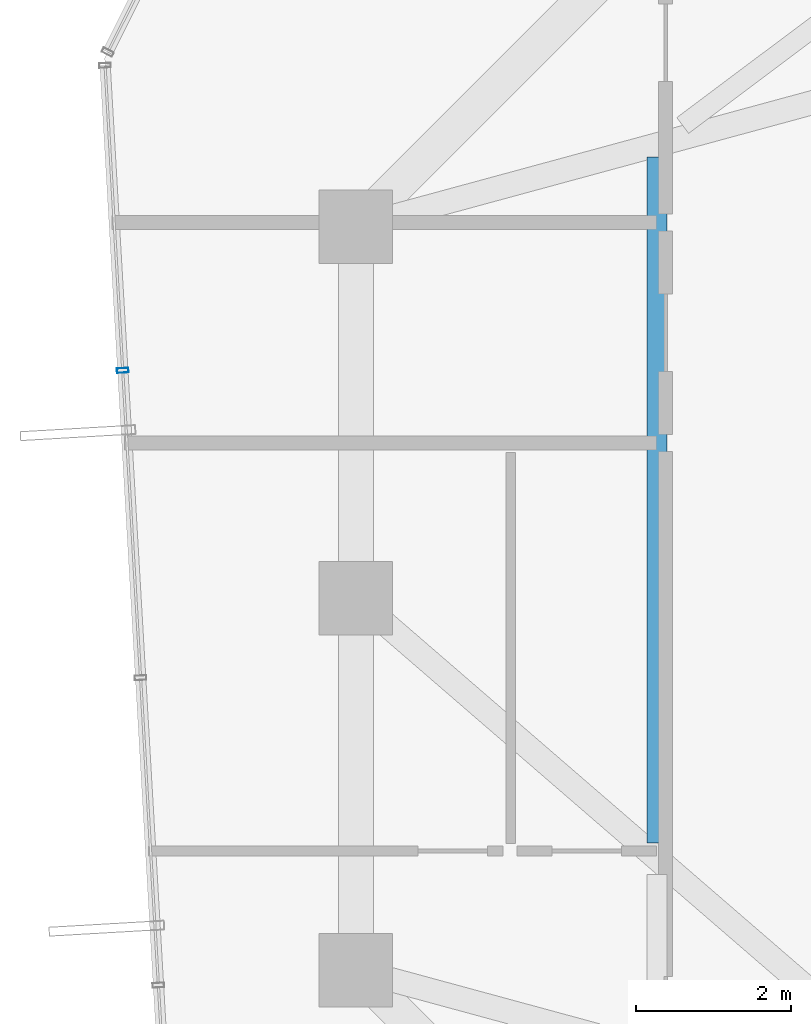
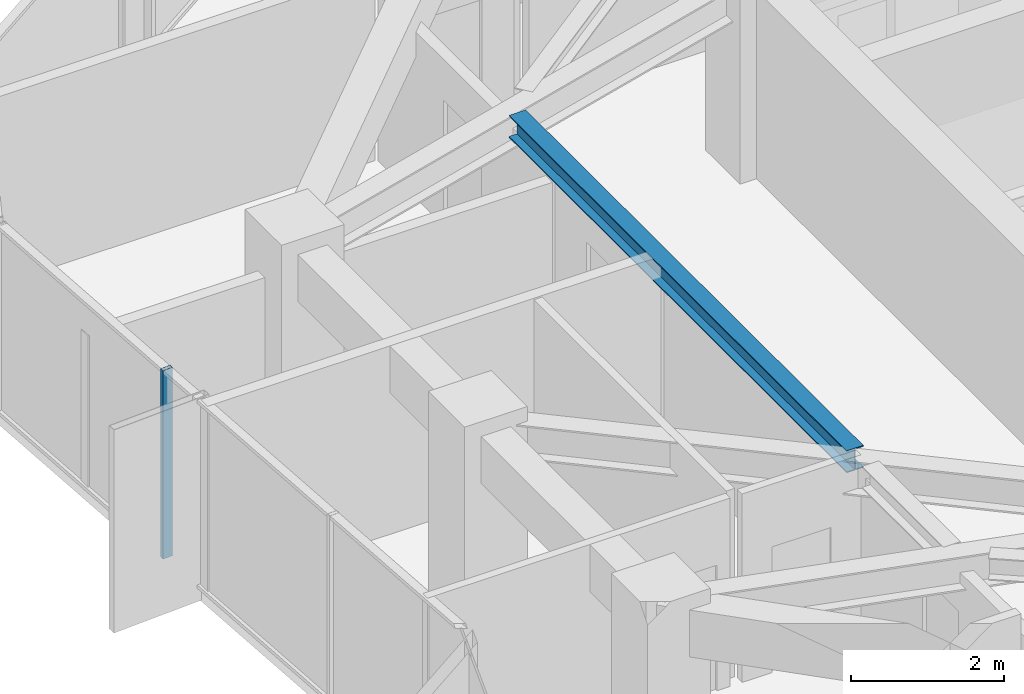
# One storey, part 14 of 33: 1 beam, 1 member, 1 element without a shape of its own.
"""IFC4 building model written with IfcOpenShell, lengths in metres."""

from ifc_helpers import new_model, si_unit, direction, frame, origin, origin_2d, place, context, subcontext, project, spatial, hollow_rectangle, i_section, extrude, source, transform, mapped, material, layer, layer_set, material_profile, profile_set, type_object, element, aggregate, save


model = new_model("IFC4")

# Units and contexts
model_context = context("Model", 3, precision=1e-05, world=origin(), true_north=direction((0.0, 1.0)))
body_context = subcontext(model_context, "Body", "Model", "MODEL_VIEW")
ifc_project = project(units=[si_unit("LENGTHUNIT", "METRE"), si_unit("AREAUNIT", "SQUARE_METRE"), si_unit("VOLUMEUNIT", "CUBIC_METRE"), si_unit("PLANEANGLEUNIT", "RADIAN"), si_unit("MASSUNIT", "GRAM", prefix="KILO")], contexts=[model_context])

# Site, building, storey
site_placement = place(None, origin())
site = spatial("IfcSite", under=ifc_project, at=site_placement, CompositionType="ELEMENT")
building_placement = place(site_placement, origin())
building = spatial("IfcBuilding", under=site, at=building_placement, Name="Veraguas Prism Commons", CompositionType="ELEMENT")
storey_placement = place(building_placement, frame((0.0, 0.0, 195.10009765625)))
storey = spatial("IfcBuildingStorey", under=building, at=storey_placement, Name="L55", CompositionType="ELEMENT", Elevation=195.10009765625)

# Beam
ifc_material_1 = material(Name="Steel ASTM A992 Grade 50", Category="steel")
ifc_material_profile_1 = material_profile(ifc_material_1, i_section(OverallWidth=0.25390625, OverallDepth=0.35302734375, WebThickness=0.009521484375, FlangeThickness=0.016357421875, at=origin_2d()), Name="W360X91")
ifc_profile_set_1 = profile_set([ifc_material_profile_1], Name="Steel ASTM A992 Grade 50")
beam_type = type_object("IfcBeamType", Name="Upper Floor Joist W360x91", PredefinedType="JOIST", material=ifc_profile_set_1)
beam_placement = place(storey_placement, frame((12.988037109375, 29.697021484375, 2.83837890625), z_axis=(0.0, -1.0, 0.0), x_axis=(1.0, 0.0, 0.0)))
element("IfcBeam", 1, at=beam_placement, inside=storey, type_object=beam_type, Name="Composite Floor Joist L55-JS07", PredefinedType="JOIST", context=body_context, shape_type="SweptSolid", body=[
    extrude(i_section(OverallWidth=0.25390625, OverallDepth=0.35302734375, WebThickness=0.009521484375, FlangeThickness=0.016357421875, at=origin_2d()), origin(), (0.0, 0.0, 1.0), 8.85400390625),
])

# Curtain wall, member
ifc_material_2 = material(Name="Anodised aluminium EN AW-6063 T6", Category="aluminium")
ifc_layer = layer(ifc_material_2, 0.14990234375, Name="Unitised Flush Curtain Wall Zone 3", Category="aluminium")
ifc_layer_set = layer_set([ifc_layer], Name="Anodised aluminium EN AW-6063 T6")
curtain_wall_type = type_object("IfcCurtainWallType", Name="Unitised Flush Curtain Wall Zone 3", PredefinedType="NOTDEFINED", material=ifc_layer_set)
curtain_wall_placement = place(storey_placement, origin())
curtain_wall = element("IfcCurtainWall", 2, at=curtain_wall_placement, inside=storey, type_object=curtain_wall_type, Name="Tower Facade Curtain Wall L55-F3", PredefinedType="NOTDEFINED")
ifc_material_profile_2 = material_profile(ifc_material_2, hollow_rectangle(XDim=0.06005859375, YDim=0.14990234375, WallThickness=0.0029296875, at=origin_2d()), Name="AL60X150X3")
ifc_profile_set_2 = profile_set([ifc_material_profile_2], Name="Anodised aluminium EN AW-6063 T6")
member_type = type_object("IfcMemberType", Name="Curtain Wall Mullion Upper AL 60x150x3", PredefinedType="MULLION", material=ifc_profile_set_2)
shared_shape = source(origin(), body_context, "Body", "SweptSolid", [
    extrude(hollow_rectangle(XDim=0.06005859375, YDim=0.14990234375, WallThickness=0.0029296875, at=origin_2d()), origin(), (0.0, 0.0, 1.0), 3.014892578125),
])
member_placement = place(storey_placement, frame((6.08935546875, 26.943359375, 0.0), z_axis=(0.0, 0.0, 1.0), x_axis=(0.05790902568, -0.998321864303, 0.0)))
member = element("IfcMember", 3, at=member_placement, type_object=member_type, Name="CW-Z3 Mullion 2", PredefinedType="MULLION", context=body_context, shape_type="MappedRepresentation", body=[
    mapped(shared_shape, transform((0.0, 0.0, 0.0), scale=1.0)),
])
aggregate(curtain_wall, [member])

save(model, "model.ifc")
